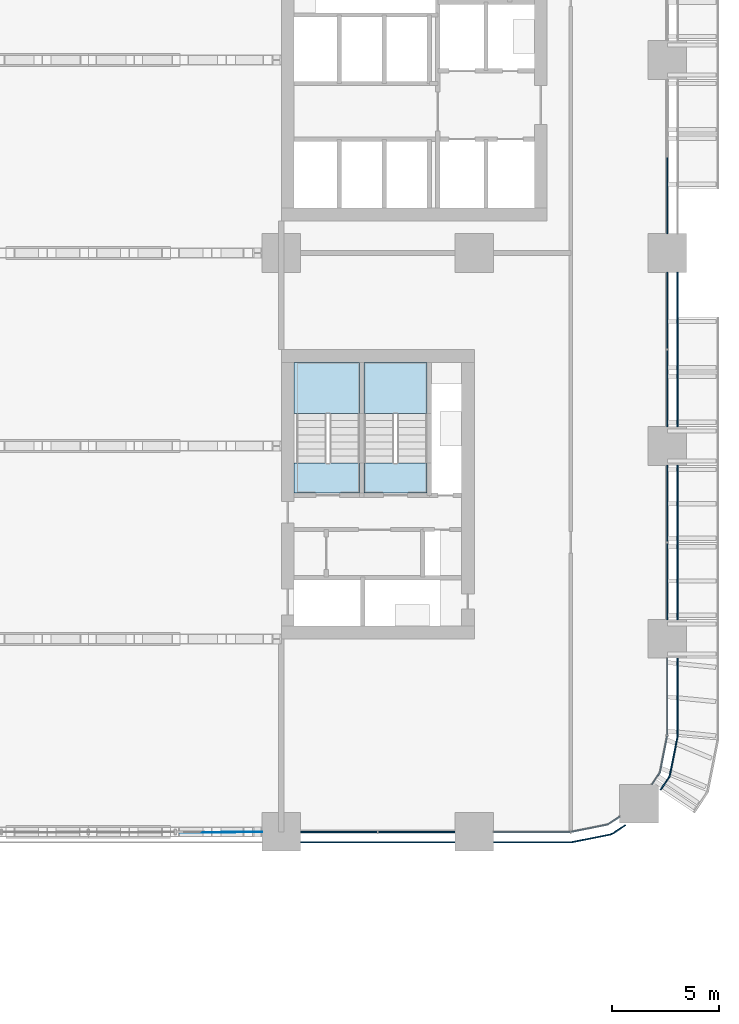
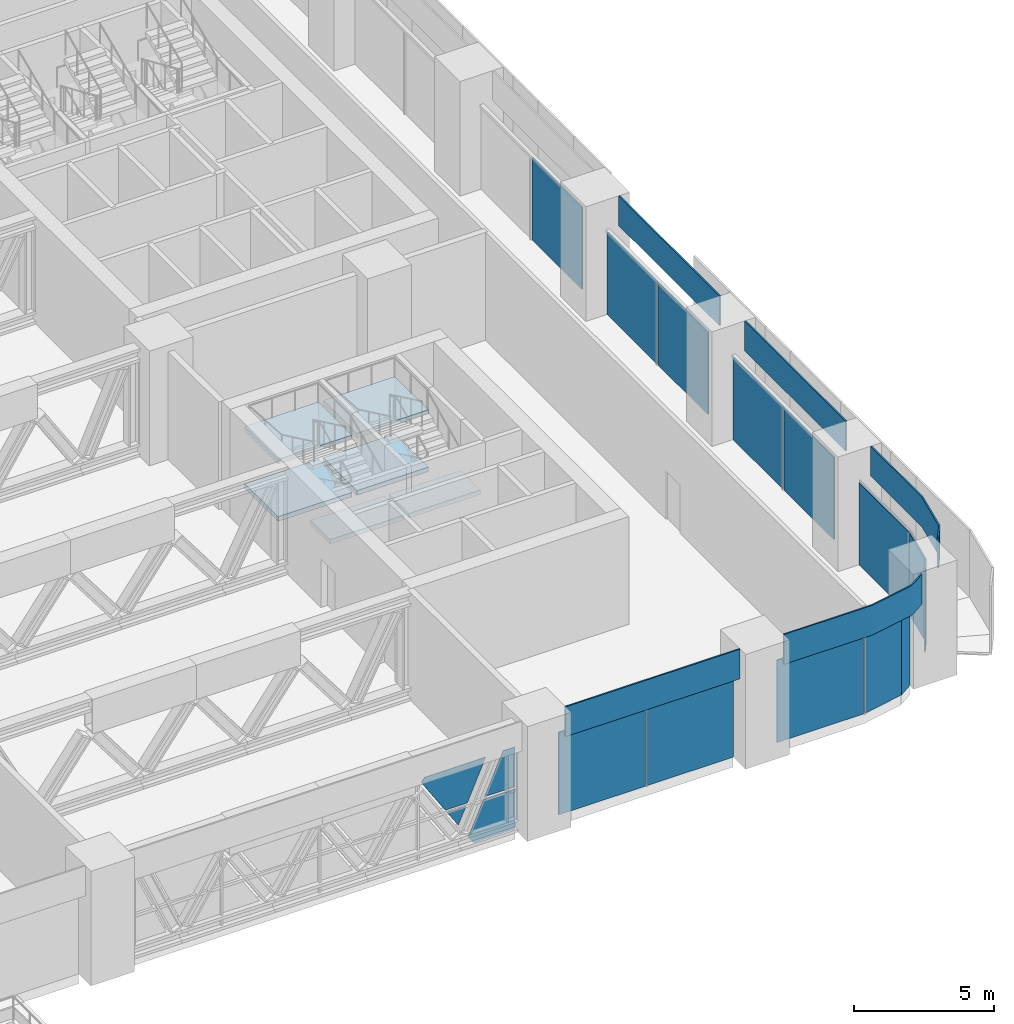
# One storey, part 15 of 35: 20 plates, 6 slabs, 9 elements without a shape of their own.
"""IFC4 building model written with IfcOpenShell, lengths in metres."""

from ifc_helpers import new_model, si_unit, direction, frame, origin, origin_2d, place, context, subcontext, project, spatial, polyline, rectangle, outline, extrude, material, layer, layer_set, type_object, element, aggregate, save


model = new_model("IFC4")

# Units and contexts
model_context = context("Model", 3, precision=1e-05, world=origin(), true_north=direction((0.0, 1.0)))
body_context = subcontext(model_context, "Body", "Model", "MODEL_VIEW")
ifc_project = project(units=[si_unit("LENGTHUNIT", "METRE"), si_unit("AREAUNIT", "SQUARE_METRE"), si_unit("VOLUMEUNIT", "CUBIC_METRE"), si_unit("PLANEANGLEUNIT", "RADIAN"), si_unit("MASSUNIT", "GRAM", prefix="KILO")], contexts=[model_context])

# Site, building, storey
site_placement = place(None, origin())
site = spatial("IfcSite", under=ifc_project, at=site_placement, CompositionType="ELEMENT")
building_placement = place(site_placement, origin())
building = spatial("IfcBuilding", under=site, at=building_placement, Name="Tessera Arch", CompositionType="ELEMENT")
storey_placement = place(building_placement, frame((0.0, 0.0, 26.0)))
storey = spatial("IfcBuildingStorey", under=building, at=storey_placement, Name="L04", CompositionType="ELEMENT", Elevation=26.0)

# Curtain wall, plates
ifc_material_1 = material(Name="CW4 curtain wall")
curtain_wall_type_1 = type_object("IfcCurtainWallType", Name="CW4 curtain wall", PredefinedType="NOTDEFINED", material=ifc_material_1)
curtain_wall_1_placement = place(storey_placement, origin())
curtain_wall_1 = element("IfcCurtainWall", 1, at=curtain_wall_1_placement, inside=storey, type_object=curtain_wall_type_1, Name="CW4 curtain wall S0.0/1 L04", PredefinedType="NOTDEFINED")
ifc_material_2 = material(Name="Clear low-e glass", Category="glass")
ifc_layer_1 = layer(ifc_material_2, 0.028076171875)
ifc_layer_set_1 = layer_set([ifc_layer_1], Name="CW4 glass panel")
plate_type_1 = type_object("IfcPlateType", Name="CW4 glass panel", PredefinedType="CURTAIN_PANEL", material=ifc_layer_set_1)
plate_1_placement = place(storey_placement, frame((33.067138671875, -0.0419921875, 1.72998046875), z_axis=(0.0, -1.0, 0.0), x_axis=(-1.0, 0.0, 0.0)))
plate_1 = element("IfcPlate", 2, at=plate_1_placement, type_object=plate_type_1, Name="CW4 fitted glass panel S0.0/1 20", PredefinedType="CURTAIN_PANEL", context=body_context, shape_type="SweptSolid", body=[
    extrude(outline(polyline([(0.0, 0.0), (0.7783203125, 0.0), (0.3173828125, 0.721923828125), (0.0, 0.0)])), origin(), (0.0, 0.0, -1.0), 0.028076171875),
])
plate_2_placement = place(storey_placement, frame((35.10009765625, -0.013916015625, 1.72998046875), z_axis=(0.0, -1.0, 0.0), x_axis=(-1.0, 0.0, 0.0)))
plate_2 = element("IfcPlate", 3, at=plate_2_placement, type_object=plate_type_1, Name="CW4 fitted glass panel S0.0/1 21", PredefinedType="CURTAIN_PANEL", context=body_context, shape_type="SweptSolid", body=[
    extrude(outline(polyline([(0.0, 0.0), (1.297607421875, 0.0), (1.9150390625, 1.40380859375), (1.706787109375, 1.72998046875), (0.0, 1.72998046875), (0.0, 0.0)])), origin(), (0.0, 0.0, -1.0), 0.028076171875),
])
plate_3_placement = place(storey_placement, frame((33.880615234375, -0.0419921875, 3.580078125), z_axis=(0.0, -1.0, 0.0), x_axis=(-1.0, 0.0, 0.0)))
plate_3 = element("IfcPlate", 4, at=plate_3_placement, type_object=plate_type_1, Name="CW4 fitted glass panel S0.0/1 23", PredefinedType="CURTAIN_PANEL", context=body_context, shape_type="SweptSolid", body=[
    extrude(outline(polyline([(0.0, 0.0), (2.5244140625, 0.0), (2.648681640625, 0.194580078125), (1.66845703125, 1.72998046875), (0.7607421875, 1.72998046875), (0.0, 0.0)])), origin(), (0.0, 0.0, -1.0), 0.028076171875),
])
plate_4_placement = place(storey_placement, frame((35.10009765625, -0.013916015625, 3.580078125), z_axis=(0.0, -1.0, 0.0), x_axis=(-1.0, 0.0, 0.0)))
plate_4 = element("IfcPlate", 5, at=plate_4_placement, type_object=plate_type_1, Name="CW4 fitted glass panel S0.0/1 24", PredefinedType="CURTAIN_PANEL", context=body_context, shape_type="SweptSolid", body=[
    extrude(outline(polyline([(0.0, 0.0), (0.484375, 0.0), (1.244873046875, 1.72998046875), (0.0, 1.72998046875), (0.0, 0.0)])), origin(), (0.0, 0.0, -1.0), 0.028076171875),
])
aggregate(curtain_wall_1, [plate_1, plate_2, plate_3, plate_4])

ifc_material_3 = material(Name="CW7 curtain wall")
curtain_wall_type_2 = type_object("IfcCurtainWallType", Name="CW7 curtain wall", PredefinedType="NOTDEFINED", material=ifc_material_3)
curtain_wall_2_placement = place(storey_placement, origin())
curtain_wall_2 = element("IfcCurtainWall", 6, at=curtain_wall_2_placement, inside=storey, type_object=curtain_wall_type_2, Name="CW7 curtain wall S0.0/2 L04", PredefinedType="NOTDEFINED")
ifc_material_4 = material(Name="Pale anodised aluminium panel", Category="aluminium")
ifc_layer_2 = layer(ifc_material_4, 0.06005859375)
ifc_layer_set_2 = layer_set([ifc_layer_2], Name="CW7 plant wall panel")
plate_type_2 = type_object("IfcPlateType", Name="CW7 plant wall panel", PredefinedType="CURTAIN_PANEL", material=ifc_layer_set_2)
plate_5_placement = place(storey_placement, frame((38.68505859375, 0.0, 0.0), z_axis=(0.0, 0.0, 1.0), x_axis=(1.0, 0.0, 0.0)))
plate_5 = element("IfcPlate", 7, at=plate_5_placement, type_object=plate_type_2, Name="CW7 plant wall panel S0.0/2 1.1.1", PredefinedType="CURTAIN_PANEL", context=body_context, shape_type="SweptSolid", body=[
    extrude(rectangle(XDim=3.570068359375, YDim=0.06005859375, at=origin_2d()), origin(), (0.0, 0.0, 1.0), 3.580078125),
])
plate_6_placement = place(storey_placement, frame((42.31494140625, 0.0, 0.0), z_axis=(0.0, 0.0, 1.0), x_axis=(1.0, 0.0, 0.0)))
plate_6 = element("IfcPlate", 8, at=plate_6_placement, type_object=plate_type_2, Name="CW7 plant wall panel S0.0/2 1.2.1", PredefinedType="CURTAIN_PANEL", context=body_context, shape_type="SweptSolid", body=[
    extrude(rectangle(XDim=3.570068359375, YDim=0.06005859375, at=origin_2d()), origin(), (0.0, 0.0, 1.0), 3.580078125),
])

curtain_wall_3_placement = place(storey_placement, origin())
curtain_wall_3 = element("IfcCurtainWall", 9, at=curtain_wall_3_placement, inside=storey, type_object=curtain_wall_type_2, Name="CW7 curtain wall S0.0/3 L04", PredefinedType="NOTDEFINED")
plate_7_placement = place(storey_placement, frame((47.68505859375, 0.0, 0.0), z_axis=(0.0, 0.0, 1.0), x_axis=(1.0, 0.0, 0.0)))
plate_7 = element("IfcPlate", 10, at=plate_7_placement, type_object=plate_type_2, Name="CW7 plant wall panel S0.0/3 1.1", PredefinedType="CURTAIN_PANEL", context=body_context, shape_type="SweptSolid", body=[
    extrude(rectangle(XDim=3.570068359375, YDim=0.06005859375, at=origin_2d()), origin(), (0.0, 0.0, 1.0), 3.580078125),
])
plate_8_placement = place(storey_placement, origin())
plate_8 = element("IfcPlate", 11, at=plate_8_placement, type_object=plate_type_2, Name="CW7 curved plant wall panel S0.0/3 2.1", PredefinedType="CURTAIN_PANEL", context=body_context, shape_type="SweptSolid", body=[
    extrude(outline(polyline([(51.21044921875, 0.370849609375), (49.523681640625, 0.03515625), (49.53515625, -0.023681640625), (51.23388671875, 0.314208984375), (51.798583984375, 0.691650390625), (51.765380859375, 0.74169921875), (51.21044921875, 0.370849609375)])), origin(), (0.0, 0.0, 1.0), 3.580078125),
])

curtain_wall_4_placement = place(storey_placement, origin())
curtain_wall_4 = element("IfcCurtainWall", 12, at=curtain_wall_4_placement, inside=storey, type_object=curtain_wall_type_2, Name="CW7 curtain wall E54.0/0 L04", PredefinedType="NOTDEFINED")
plate_9_placement = place(storey_placement, frame((54.0, 6.31494140625, 0.0), z_axis=(0.0, 0.0, 1.0), x_axis=(0.0, 1.0, 0.0)))
plate_9 = element("IfcPlate", 13, at=plate_9_placement, type_object=plate_type_2, Name="CW7 plant wall panel E54.0/0 1.1", PredefinedType="CURTAIN_PANEL", context=body_context, shape_type="SweptSolid", body=[
    extrude(rectangle(XDim=3.570068359375, YDim=0.06005859375, at=origin_2d()), origin(), (0.0, 0.0, 1.0), 3.580078125),
])
plate_10_placement = place(storey_placement, origin())
plate_10 = element("IfcPlate", 14, at=plate_10_placement, type_object=plate_type_2, Name="CW7 curved plant wall panel E54.0/0 2.1", PredefinedType="CURTAIN_PANEL", context=body_context, shape_type="SweptSolid", body=[
    extrude(outline(polyline([(53.629150390625, 2.78955078125), (53.25830078125, 2.234619140625), (53.308349609375, 2.201416015625), (53.685791015625, 2.76611328125), (54.023681640625, 4.46484375), (53.96484375, 4.476318359375), (53.629150390625, 2.78955078125)])), origin(), (0.0, 0.0, 1.0), 3.580078125),
])

curtain_wall_5_placement = place(storey_placement, origin())
curtain_wall_5 = element("IfcCurtainWall", 15, at=curtain_wall_5_placement, inside=storey, type_object=curtain_wall_type_2, Name="CW7 curtain wall E54.0/1 L04", PredefinedType="NOTDEFINED")
plate_11_placement = place(storey_placement, frame((54.0, 11.68505859375, 0.0), z_axis=(0.0, 0.0, 1.0), x_axis=(0.0, 1.0, 0.0)))
plate_11 = element("IfcPlate", 16, at=plate_11_placement, type_object=plate_type_2, Name="CW7 plant wall panel E54.0/1 1.1.1", PredefinedType="CURTAIN_PANEL", context=body_context, shape_type="SweptSolid", body=[
    extrude(rectangle(XDim=3.570068359375, YDim=0.06005859375, at=origin_2d()), origin(), (0.0, 0.0, 1.0), 3.580078125),
])
plate_12_placement = place(storey_placement, frame((54.0, 15.31494140625, 0.0), z_axis=(0.0, 0.0, 1.0), x_axis=(0.0, 1.0, 0.0)))
plate_12 = element("IfcPlate", 17, at=plate_12_placement, type_object=plate_type_2, Name="CW7 plant wall panel E54.0/1 1.2.1", PredefinedType="CURTAIN_PANEL", context=body_context, shape_type="SweptSolid", body=[
    extrude(rectangle(XDim=3.570068359375, YDim=0.06005859375, at=origin_2d()), origin(), (0.0, 0.0, 1.0), 3.580078125),
])

curtain_wall_6_placement = place(storey_placement, origin())
curtain_wall_6 = element("IfcCurtainWall", 18, at=curtain_wall_6_placement, inside=storey, type_object=curtain_wall_type_2, Name="CW7 curtain wall E54.0/2 L04", PredefinedType="NOTDEFINED")
plate_13_placement = place(storey_placement, frame((54.0, 20.68505859375, 0.0), z_axis=(0.0, 0.0, 1.0), x_axis=(0.0, 1.0, 0.0)))
plate_13 = element("IfcPlate", 19, at=plate_13_placement, type_object=plate_type_2, Name="CW7 plant wall panel E54.0/2 1.1.1", PredefinedType="CURTAIN_PANEL", context=body_context, shape_type="SweptSolid", body=[
    extrude(rectangle(XDim=3.570068359375, YDim=0.06005859375, at=origin_2d()), origin(), (0.0, 0.0, 1.0), 3.580078125),
])
plate_14_placement = place(storey_placement, frame((54.0, 24.31494140625, 0.0), z_axis=(0.0, 0.0, 1.0), x_axis=(0.0, 1.0, 0.0)))
plate_14 = element("IfcPlate", 20, at=plate_14_placement, type_object=plate_type_2, Name="CW7 plant wall panel E54.0/2 1.2.1", PredefinedType="CURTAIN_PANEL", context=body_context, shape_type="SweptSolid", body=[
    extrude(rectangle(XDim=3.570068359375, YDim=0.06005859375, at=origin_2d()), origin(), (0.0, 0.0, 1.0), 3.580078125),
])

# Curtain wall, plate
curtain_wall_7_placement = place(storey_placement, origin())
curtain_wall_7 = element("IfcCurtainWall", 21, at=curtain_wall_7_placement, inside=storey, type_object=curtain_wall_type_2, Name="CW7 curtain wall E54.0/3 L04", PredefinedType="NOTDEFINED")
plate_15_placement = place(storey_placement, frame((54.0, 29.68505859375, 0.0), z_axis=(0.0, 0.0, 1.0), x_axis=(0.0, 1.0, 0.0)))
plate_15 = element("IfcPlate", 22, at=plate_15_placement, type_object=plate_type_2, Name="CW7 plant wall panel E54.0/3 1.1.1", PredefinedType="CURTAIN_PANEL", context=body_context, shape_type="SweptSolid", body=[
    extrude(rectangle(XDim=3.570068359375, YDim=0.06005859375, at=origin_2d()), origin(), (0.0, 0.0, 1.0), 3.580078125),
])
aggregate(curtain_wall_7, [plate_15])

# Plate
ifc_material_5 = material(Name="Pale anodised aluminium panel", Category="aluminium")
ifc_layer_3 = layer(ifc_material_5, 0.06005859375)
ifc_layer_set_3 = layer_set([ifc_layer_3], Name="CW7 spandrel panel")
plate_type_3 = type_object("IfcPlateType", Name="CW7 spandrel panel", PredefinedType="CURTAIN_PANEL", material=ifc_layer_set_3)
plate_16_placement = place(storey_placement, frame((40.5, -0.47998046875, 3.7001953125), z_axis=(0.0, 0.0, 1.0), x_axis=(1.0, 0.0, 0.0)))
plate_16 = element("IfcPlate", 23, at=plate_16_placement, type_object=plate_type_3, Name="CW7 spandrel panel S0.0/2", PredefinedType="CURTAIN_PANEL", context=body_context, shape_type="SweptSolid", body=[
    extrude(rectangle(XDim=7.199951171875, YDim=0.06005859375, at=origin_2d()), origin(), (0.0, 0.0, 1.0), 1.300048828125),
])

aggregate(curtain_wall_2, [plate_5, plate_6, plate_16])

plate_17_placement = place(storey_placement, frame((0.0, 0.0, 3.699951171875)))
plate_17 = element("IfcPlate", 24, at=plate_17_placement, type_object=plate_type_3, Name="CW7 spandrel panel S0.0/3", PredefinedType="CURTAIN_PANEL", context=body_context, shape_type="SweptSolid", body=[
    extrude(outline(polyline([(49.499267578125, -0.449951171875), (45.89990234375, -0.449951171875), (45.89990234375, -0.510009765625), (49.500732421875, -0.510009765625), (49.550048828125, -0.507568359375), (49.598876953125, -0.500244140625), (51.322265625, -0.157470703125), (51.3701171875, -0.1455078125), (51.417236328125, -0.128662109375), (51.462646484375, -0.107177734375), (51.5048828125, -0.08203125), (52.0654296875, 0.292724609375), (52.031982421875, 0.342529296875), (51.47265625, -0.03125), (51.434326171875, -0.05419921875), (51.394287109375, -0.0732421875), (51.352783203125, -0.088134765625), (51.30908203125, -0.09912109375), (49.588623046875, -0.441162109375), (49.544189453125, -0.44775390625), (49.499267578125, -0.449951171875)])), origin(), (0.0, 0.0, 1.0), 1.300048828125),
])

aggregate(curtain_wall_3, [plate_7, plate_8, plate_17])

plate_18_placement = place(storey_placement, frame((0.0, 0.0, 3.699951171875)))
plate_18 = element("IfcPlate", 25, at=plate_18_placement, type_object=plate_type_3, Name="CW7 spandrel panel E54.0/0", PredefinedType="CURTAIN_PANEL", context=body_context, shape_type="SweptSolid", body=[
    extrude(outline(polyline([(54.03125, 2.52734375), (53.657470703125, 1.968017578125), (53.707275390625, 1.9345703125), (54.08203125, 2.4951171875), (54.107177734375, 2.537353515625), (54.128662109375, 2.582763671875), (54.1455078125, 2.6298828125), (54.157470703125, 2.677734375), (54.500244140625, 4.401123046875), (54.507568359375, 4.449951171875), (54.510009765625, 4.499267578125), (54.510009765625, 8.10009765625), (54.449951171875, 8.10009765625), (54.449951171875, 4.500732421875), (54.44775390625, 4.455810546875), (54.441162109375, 4.411376953125), (54.09912109375, 2.69091796875), (54.088134765625, 2.647216796875), (54.0732421875, 2.605712890625), (54.05419921875, 2.565673828125), (54.03125, 2.52734375)])), origin(), (0.0, 0.0, 1.0), 1.300048828125),
])

aggregate(curtain_wall_4, [plate_9, plate_10, plate_18])

plate_19_placement = place(storey_placement, frame((54.47998046875, 13.5, 3.7001953125), z_axis=(0.0, 0.0, 1.0), x_axis=(0.0, 1.0, 0.0)))
plate_19 = element("IfcPlate", 26, at=plate_19_placement, type_object=plate_type_3, Name="CW7 spandrel panel E54.0/1", PredefinedType="CURTAIN_PANEL", context=body_context, shape_type="SweptSolid", body=[
    extrude(rectangle(XDim=7.199951171875, YDim=0.06005859375, at=origin_2d()), origin(), (0.0, 0.0, 1.0), 1.300048828125),
])

aggregate(curtain_wall_5, [plate_11, plate_12, plate_19])

plate_20_placement = place(storey_placement, frame((54.47998046875, 22.5, 3.7001953125), z_axis=(0.0, 0.0, 1.0), x_axis=(0.0, 1.0, 0.0)))
plate_20 = element("IfcPlate", 27, at=plate_20_placement, type_object=plate_type_3, Name="CW7 spandrel panel E54.0/2", PredefinedType="CURTAIN_PANEL", context=body_context, shape_type="SweptSolid", body=[
    extrude(rectangle(XDim=7.199951171875, YDim=0.06005859375, at=origin_2d()), origin(), (0.0, 0.0, 1.0), 1.300048828125),
])

aggregate(curtain_wall_6, [plate_13, plate_14, plate_20])

# Stair, slabs
ifc_material_6 = material(Name="Concrete C40/50", Category="concrete")
stair_type = type_object("IfcStairType", Name="Dogleg stair 1400", PredefinedType="HALF_TURN_STAIR", material=ifc_material_6)
stair_1_placement = place(storey_placement, origin())
stair_1 = element("IfcStair", 28, at=stair_1_placement, inside=storey, type_object=stair_type, Name="L04 S3a", PredefinedType="HALF_TURN_STAIR")
ifc_material_7 = material(Name="Concrete C40/50", Category="concrete")
ifc_layer_4 = layer(ifc_material_7, 0.300048828125)
ifc_layer_set_4 = layer_set([ifc_layer_4], Name="Stair landing 300")
slab_type = type_object("IfcSlabType", Name="Stair landing 300", PredefinedType="LANDING", material=ifc_layer_set_4)
slab_1_placement = place(storey_placement, frame((0.0, 0.0, 1.050048828125)))
slab_1 = element("IfcSlab", 29, at=slab_1_placement, type_object=slab_type, Name="S3a landing 1", PredefinedType="LANDING", context=body_context, shape_type="SweptSolid", body=[
    extrude(outline(polyline([(39.64990234375, 19.510009765625), (39.64990234375, 21.89990234375), (36.60009765625, 21.89990234375), (36.60009765625, 19.510009765625), (39.64990234375, 19.510009765625)])), origin(), (0.0, 0.0, 1.0), 0.199951171875),
])
slab_2_placement = place(storey_placement, frame((0.0, 0.0, 2.300048828125)))
slab_2 = element("IfcSlab", 30, at=slab_2_placement, type_object=slab_type, Name="S3a landing 2", PredefinedType="LANDING", context=body_context, shape_type="SweptSolid", body=[
    extrude(outline(polyline([(39.64990234375, 15.800048828125), (39.64990234375, 17.199951171875), (36.60009765625, 17.199951171875), (36.60009765625, 15.800048828125), (39.64990234375, 15.800048828125)])), origin(), (0.0, 0.0, 1.0), 0.199951171875),
])
slab_3_placement = place(storey_placement, frame((0.0, 0.0, 3.550048828125)))
slab_3 = element("IfcSlab", 31, at=slab_3_placement, type_object=slab_type, Name="S3a landing 3", PredefinedType="LANDING", context=body_context, shape_type="SweptSolid", body=[
    extrude(outline(polyline([(39.64990234375, 19.510009765625), (39.64990234375, 21.89990234375), (36.60009765625, 21.89990234375), (36.60009765625, 19.510009765625), (39.64990234375, 19.510009765625)])), origin(), (0.0, 0.0, 1.0), 0.199951171875),
])
aggregate(stair_1, [slab_1, slab_2, slab_3])

stair_2_placement = place(storey_placement, origin())
stair_2 = element("IfcStair", 32, at=stair_2_placement, inside=storey, type_object=stair_type, Name="L04 S3b", PredefinedType="HALF_TURN_STAIR")
slab_4_placement = place(storey_placement, frame((0.0, 0.0, 1.050048828125)))
slab_4 = element("IfcSlab", 33, at=slab_4_placement, type_object=slab_type, Name="S3b landing 1", PredefinedType="LANDING", context=body_context, shape_type="SweptSolid", body=[
    extrude(outline(polyline([(42.800048828125, 19.510009765625), (42.800048828125, 21.89990234375), (39.85009765625, 21.89990234375), (39.85009765625, 19.510009765625), (42.800048828125, 19.510009765625)])), origin(), (0.0, 0.0, 1.0), 0.199951171875),
])
slab_5_placement = place(storey_placement, frame((0.0, 0.0, 2.300048828125)))
slab_5 = element("IfcSlab", 34, at=slab_5_placement, type_object=slab_type, Name="S3b landing 2", PredefinedType="LANDING", context=body_context, shape_type="SweptSolid", body=[
    extrude(outline(polyline([(42.800048828125, 15.800048828125), (42.800048828125, 17.199951171875), (39.85009765625, 17.199951171875), (39.85009765625, 15.800048828125), (42.800048828125, 15.800048828125)])), origin(), (0.0, 0.0, 1.0), 0.199951171875),
])
slab_6_placement = place(storey_placement, frame((0.0, 0.0, 3.550048828125)))
slab_6 = element("IfcSlab", 35, at=slab_6_placement, type_object=slab_type, Name="S3b landing 3", PredefinedType="LANDING", context=body_context, shape_type="SweptSolid", body=[
    extrude(outline(polyline([(42.800048828125, 19.510009765625), (42.800048828125, 21.89990234375), (39.85009765625, 21.89990234375), (39.85009765625, 19.510009765625), (42.800048828125, 19.510009765625)])), origin(), (0.0, 0.0, 1.0), 0.199951171875),
])
aggregate(stair_2, [slab_4, slab_5, slab_6])

save(model, "model.ifc")
